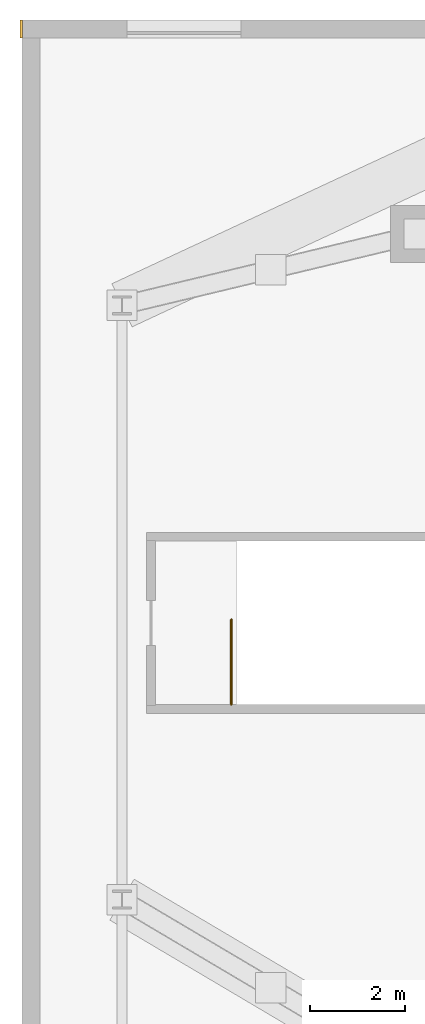
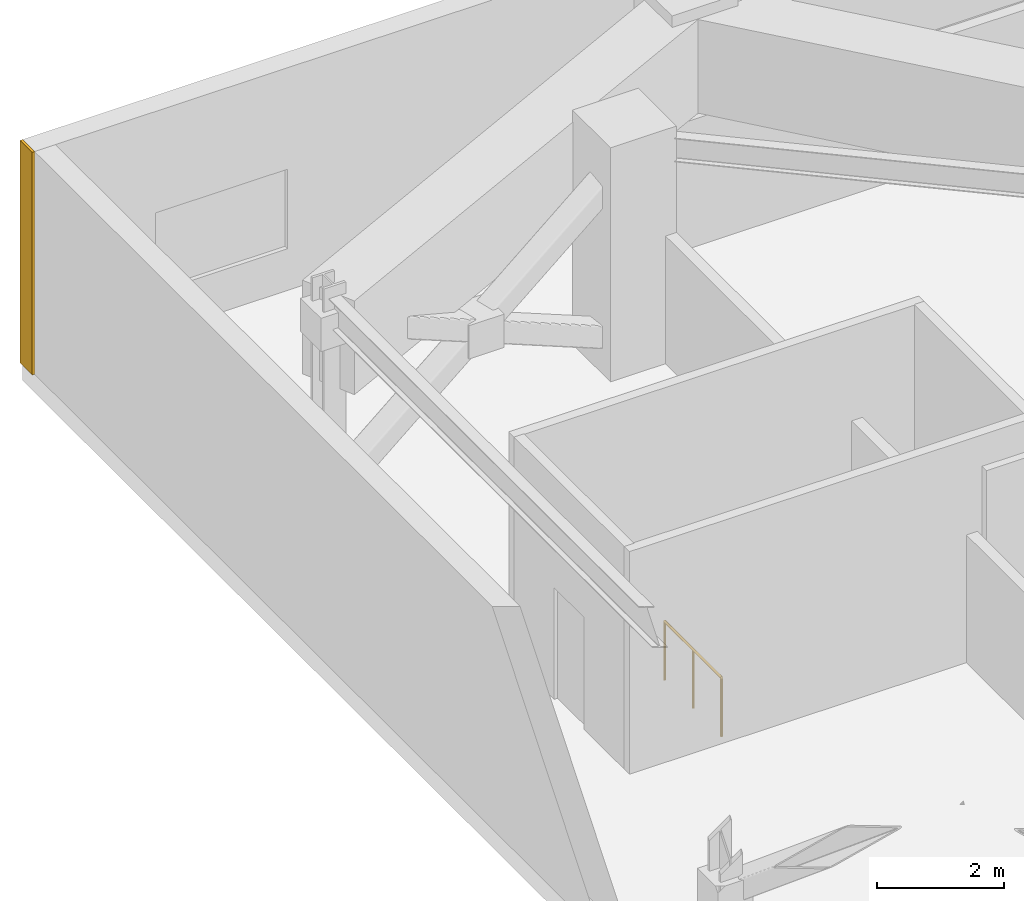
# One storey, part 17 of 19: 1 covering, 1 railing.
"""IFC4 building model written with IfcOpenShell, lengths in metres."""

from ifc_helpers import new_model, si_unit, direction, frame, frame_2d, origin, origin_2d, place, context, subcontext, project, spatial, rectangle, circle, extrude, material, layer, layer_set, type_object, element, save


model = new_model("IFC4")

# Units and contexts
model_context = context("Model", 3, precision=1e-05, world=origin(), true_north=direction((0.0, 1.0)))
body_context = subcontext(model_context, "Body", "Model", "MODEL_VIEW")
ifc_project = project(units=[si_unit("LENGTHUNIT", "METRE"), si_unit("AREAUNIT", "SQUARE_METRE"), si_unit("VOLUMEUNIT", "CUBIC_METRE"), si_unit("PLANEANGLEUNIT", "RADIAN"), si_unit("MASSUNIT", "GRAM", prefix="KILO")], contexts=[model_context])

# Site, building, storey
site_placement = place(None, origin())
site = spatial("IfcSite", under=ifc_project, at=site_placement, CompositionType="ELEMENT")
building_placement = place(site_placement, origin())
building = spatial("IfcBuilding", under=site, at=building_placement, Name="Cairnveth Concourse Tower", CompositionType="ELEMENT")
storey_placement = place(building_placement, frame((0.0, 0.0, 19.0)))
storey = spatial("IfcBuildingStorey", under=building, at=storey_placement, Name="L04", CompositionType="ELEMENT", Elevation=19.0)

# Covering
ifc_material_1 = material(Name="Dressed Melbourne Bluestone Cladding", Category="masonry")
ifc_layer = layer(ifc_material_1, 0.050048828125)
ifc_layer_set = layer_set([ifc_layer], Name="Dressed Melbourne Bluestone Cladding")
covering_type = type_object("IfcCoveringType", Name="DRESSED BLUESTONE PLINTH CLADDING 50", PredefinedType="CLADDING", material=ifc_layer_set)
covering_placement = place(storey_placement, frame((18.47998046875, 65.6201171875, 0.0), z_axis=(0.0, 0.0, 1.0), x_axis=(0.0, 1.0, 0.0)))
element("IfcCovering", 1, at=covering_placement, inside=storey, type_object=covering_type, Name="Melbourne Bluestone Corner Quoin L04-19", PredefinedType="CLADDING", context=body_context, shape_type="SweptSolid", body=[
    extrude(rectangle(XDim=0.3798828125, YDim=0.050048828125, at=frame_2d((0.18994140625, 0.0))), origin(), (0.0, 0.0, 1.0), 4.280029296875),
])

# Railing
ifc_material_2 = material(Name="Steel Grade 350", Category="steel")
railing_type = type_object("IfcRailingType", Name="STAIR GUARDRAIL 1150", PredefinedType="GUARDRAIL", material=ifc_material_2)
railing_placement = place(storey_placement, frame((22.89990234375, 51.60009765625, 0.0)))
element("IfcRailing", 2, at=railing_placement, inside=storey, type_object=railing_type, Name="L04 ST-P1 top well guard 1", PredefinedType="GUARDRAIL", context=body_context, shape_type="SweptSolid", body=[
    extrude(circle(Radius=0.02392578125, at=origin_2d()), frame((0.0, 0.0, 1.1259765625), z_axis=(0.0, 1.0, 0.0), x_axis=(-1.0, 0.0, 0.0)), (0.0, 0.0, 1.0), 1.789794921875),
    extrude(circle(Radius=0.02099609375, at=origin_2d()), origin(), (0.0, 0.0, 1.0), 1.101806640625),
    extrude(circle(Radius=0.02099609375, at=origin_2d()), frame((0.0, 0.89501953125, 0.0)), (0.0, 0.0, 1.0), 1.101806640625),
    extrude(circle(Radius=0.02099609375, at=origin_2d()), frame((0.0, 1.789794921875, 0.0)), (0.0, 0.0, 1.0), 1.101806640625),
])

save(model, "model.ifc")
